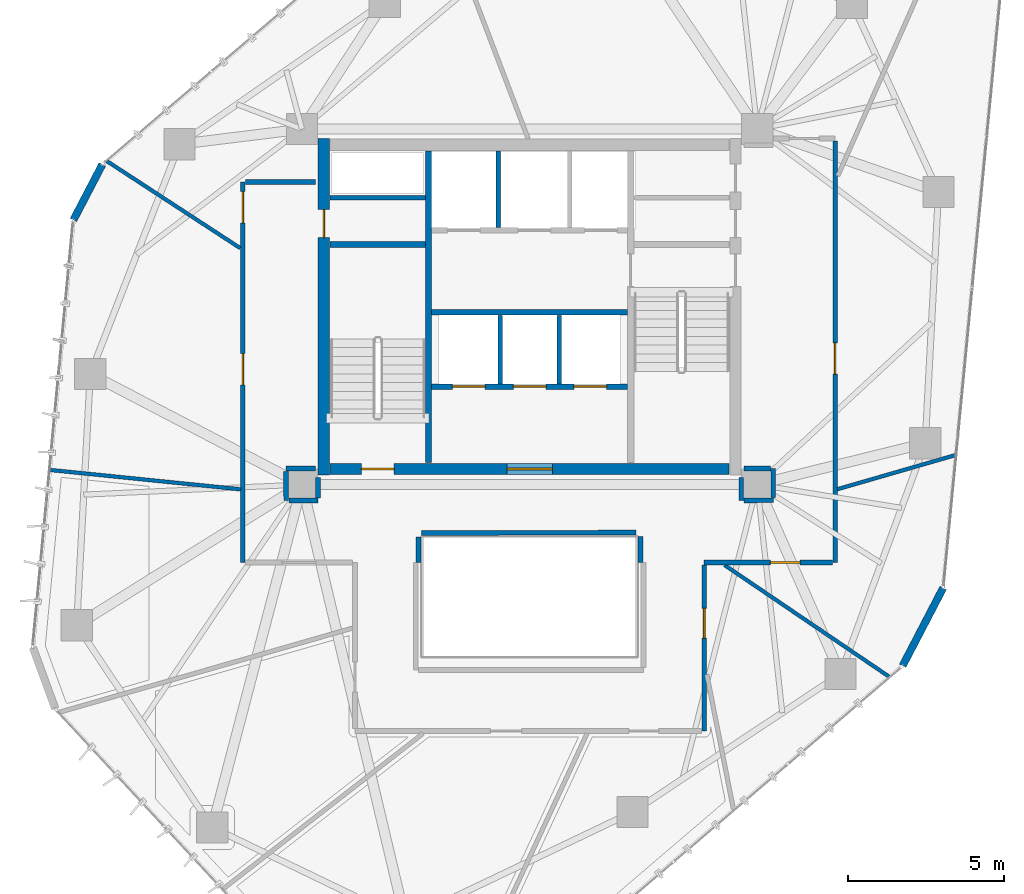
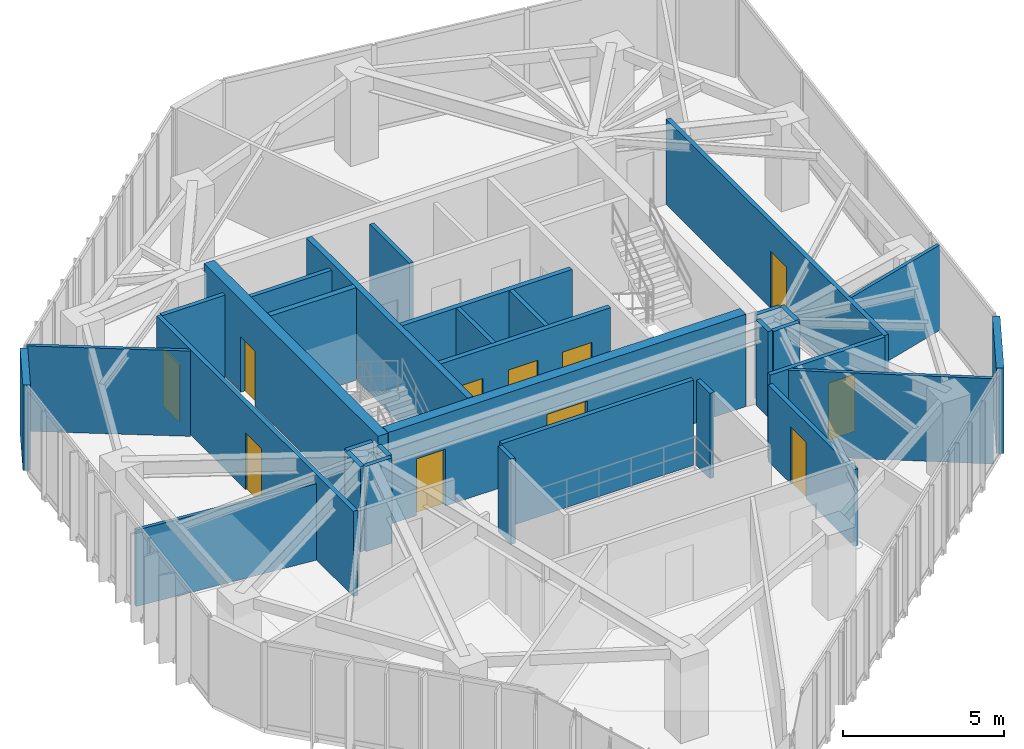
# One storey, part 17 of 21: 32 walls, 11 doors, 11 openings.
"""IFC4 building model written with IfcOpenShell, lengths in metres."""

from ifc_helpers import new_model, si_unit, direction, frame, frame_2d, origin, place, context, subcontext, project, spatial, rectangle, extrude, source, transform, mapped, material, layer, layer_set, type_object, type_shapes, element, fill, save


model = new_model("IFC4")

# Units and contexts
model_context = context("Model", 3, precision=1e-05, world=origin(), true_north=direction((0.0, 1.0)))
body_context = subcontext(model_context, "Body", "Model", "MODEL_VIEW")
ifc_project = project(units=[si_unit("LENGTHUNIT", "METRE"), si_unit("AREAUNIT", "SQUARE_METRE"), si_unit("VOLUMEUNIT", "CUBIC_METRE"), si_unit("PLANEANGLEUNIT", "RADIAN"), si_unit("MASSUNIT", "GRAM", prefix="KILO")], contexts=[model_context])

# Site, building, storey
site_placement = place(None, origin())
site = spatial("IfcSite", under=ifc_project, at=site_placement, CompositionType="ELEMENT")
building_placement = place(site_placement, origin())
building = spatial("IfcBuilding", under=site, at=building_placement, Name="Talar Marvaseh", CompositionType="ELEMENT")
storey_placement = place(building_placement, frame((0.0, 0.0, 225.699951171875)))
storey = spatial("IfcBuildingStorey", under=building, at=storey_placement, Name="L59", CompositionType="ELEMENT", Elevation=225.699951171875)

# Walls
ifc_material_1 = material(Name="Precast concrete C45/55", Category="concrete")
ifc_layer_1 = layer(ifc_material_1, 0.239990234375)
ifc_layer_set_1 = layer_set([ifc_layer_1], Name="Precast concrete C45/55")
wall_type_1 = type_object("IfcWallType", Name="Chamfered Hexagonal Corner Pier Wall Z3 240", PredefinedType="SOLIDWALL", material=ifc_layer_set_1)
wall_1_placement = place(storey_placement, frame((11.367431640625, 33.988037109375, 0.0), z_axis=(0.0, 0.0, 1.0), x_axis=(0.461778626692, 0.886995208516, 0.0)))
element("IfcWall", 1, at=wall_1_placement, inside=storey, type_object=wall_type_1, Name="L59 Chamfered Corner Limestone Pier 3", PredefinedType="SOLIDWALL", context=body_context, shape_type="SweptSolid", body=[
    extrude(rectangle(XDim=2.003173828125, YDim=0.239990234375, at=frame_2d((1.00146484375, 0.0))), origin(), (0.0, 0.0, 1.0), 3.22998046875),
])
wall_2_placement = place(storey_placement, frame((39.263671875, 22.182373046875, 0.0), z_axis=(0.0, 0.0, 1.0), x_axis=(-0.461792294956, -0.886988092546, 0.0)))
element("IfcWall", 2, at=wall_2_placement, inside=storey, type_object=wall_type_1, Name="L59 Chamfered Corner Limestone Pier 6", PredefinedType="SOLIDWALL", context=body_context, shape_type="SweptSolid", body=[
    extrude(rectangle(XDim=2.815185546875, YDim=0.239990234375, at=frame_2d((1.40771484375, 0.0))), origin(), (0.0, 0.0, 1.0), 3.22998046875),
])
ifc_material_2 = material(Name="Gypsum Board Partition Assembly")
ifc_layer_2 = layer(ifc_material_2, 0.155029296875)
ifc_layer_set_2 = layer_set([ifc_layer_2], Name="Gypsum Board Partition Assembly")
wall_type_2 = type_object("IfcWallType", Name="Corridor Fire-Rated Acoustic Partition 155", PredefinedType="PARTITIONING", material=ifc_layer_set_2)
wall_3_placement = place(storey_placement, frame((19.60009765625, 34.699951171875, 0.0), z_axis=(0.0, 0.0, 1.0), x_axis=(1.0, 0.0, 0.0)))
element("IfcWall", 3, at=wall_3_placement, inside=storey, type_object=wall_type_2, Name="L59 Core BOH Partition", PredefinedType="PARTITIONING", context=body_context, shape_type="SweptSolid", body=[
    extrude(rectangle(XDim=3.059814453125, YDim=0.155029296875, at=frame_2d((1.52978515625, 0.0))), origin(), (0.0, 0.0, 1.0), 3.22998046875),
])

# Wall, openings, doors
wall_4_placement = place(storey_placement, frame((16.800048828125, 23.0, 0.0), z_axis=(0.0, 0.0, 1.0), x_axis=(0.0, 1.0, 0.0)))
wall_4 = element("IfcWall", 4, at=wall_4_placement, inside=storey, type_object=wall_type_2, Name="L59 Interior Partition Wall", PredefinedType="PARTITIONING", context=body_context, shape_type="SweptSolid", body=[
    extrude(rectangle(XDim=12.199951171875, YDim=0.155029296875, at=frame_2d((6.10009765625, 0.0))), origin(), (0.0, 0.0, 1.0), 3.22998046875),
])
opening_1_placement = place(wall_4_placement, frame((10.891845703125, 0.0, 0.0)))
opening_1 = element("IfcOpeningElement", 5, at=opening_1_placement, cuts=wall_4, Name="Opening DR-RM100", PredefinedType="OPENING", context=body_context, shape_type="SweptSolid", body=[
    extrude(rectangle(XDim=1.0, YDim=2.14990234375, at=frame_2d((0.5, 1.074951171875))), frame((0.0, 0.08740234375, 0.0), z_axis=(0.0, -1.0, 0.0), x_axis=(1.0, 0.0, 0.0)), (0.0, 0.0, 1.0), 0.175048828125),
])
opening_2_placement = place(wall_4_placement, frame((5.697021484375, 0.0, 0.0)))
opening_2 = element("IfcOpeningElement", 6, at=opening_2_placement, cuts=wall_4, Name="Opening DR-RM100", PredefinedType="OPENING", context=body_context, shape_type="SweptSolid", body=[
    extrude(rectangle(XDim=1.0, YDim=2.14990234375, at=frame_2d((0.5, 1.074951171875))), frame((0.0, 0.08740234375, 0.0), z_axis=(0.0, -1.0, 0.0), x_axis=(1.0, 0.0, 0.0)), (0.0, 0.0, 1.0), 0.175048828125),
])
ifc_material_3 = material(Name="Acoustic Engineered Oak Timber", Category="wood")
door_type_1 = type_object("IfcDoorType", Name="Corridor Fire-Rated Gallery Door 1000x2150", OperationType="NOTDEFINED", PredefinedType="DOOR", material=ifc_material_3)
shared_shape_1 = source(origin(), body_context, "Body", "SweptSolid", [
    extrude(rectangle(XDim=1.0, YDim=2.14990234375, at=frame_2d((0.5, 1.074951171875))), frame((0.0, 0.02490234375, 0.0), z_axis=(0.0, -1.0, 0.0), x_axis=(1.0, 0.0, 0.0)), (0.0, 0.0, 1.0), 0.050048828125),
])
type_shapes(door_type_1, [shared_shape_1])
door_1_placement = place(opening_1_placement, origin())
door_1 = element("IfcDoor", 7, at=door_1_placement, inside=storey, type_object=door_type_1, Name="L59 Digital Paleography Studio Door", OperationType="SINGLE_SWING_RIGHT", OverallHeight=2.14990234375, OverallWidth=1.0, PredefinedType="DOOR", context=body_context, shape_type="MappedRepresentation", body=[
    mapped(shared_shape_1, transform((0.0, 0.0, 0.0), x_axis=(1.0, 0.0, 0.0), y_axis=(0.0, 1.0, 0.0), z_axis=(0.0, 0.0, 1.0), scale=1.0)),
])
fill(opening_1, door_1)
door_2_placement = place(opening_2_placement, origin())
door_2 = element("IfcDoor", 8, at=door_2_placement, inside=storey, type_object=door_type_1, Name="L59 Quiet Research Study Door", OperationType="SINGLE_SWING_LEFT", OverallHeight=2.14990234375, OverallWidth=1.0, PredefinedType="DOOR", context=body_context, shape_type="MappedRepresentation", body=[
    mapped(shared_shape_1, transform((0.0, 0.0, 0.0), x_axis=(1.0, 0.0, 0.0), y_axis=(0.0, 1.0, 0.0), z_axis=(0.0, 0.0, 1.0), scale=1.0)),
])
fill(opening_2, door_2)

# Wall, opening, door
wall_5_placement = place(storey_placement, frame((35.800048828125, 36.5166015625, 0.0), z_axis=(0.0, 0.0, 1.0), x_axis=(0.0, -1.0, 0.0)))
wall_5 = element("IfcWall", 9, at=wall_5_placement, inside=storey, type_object=wall_type_2, Name="L59 Interior Partition Wall", PredefinedType="PARTITIONING", context=body_context, shape_type="SweptSolid", body=[
    extrude(rectangle(XDim=13.5166015625, YDim=0.155029296875, at=frame_2d((6.75830078125, 0.0))), origin(), (0.0, 0.0, 1.0), 3.22998046875),
])
opening_3_placement = place(wall_5_placement, frame((6.4716796875, 0.0, 0.0)))
opening_3 = element("IfcOpeningElement", 10, at=opening_3_placement, cuts=wall_5, Name="Opening DR-RM100", PredefinedType="OPENING", context=body_context, shape_type="SweptSolid", body=[
    extrude(rectangle(XDim=1.0, YDim=2.14990234375, at=frame_2d((0.5, 1.074951171875))), frame((0.0, 0.08740234375, 0.0), z_axis=(0.0, -1.0, 0.0), x_axis=(1.0, 0.0, 0.0)), (0.0, 0.0, 1.0), 0.175048828125),
])
door_3_placement = place(opening_3_placement, origin())
door_3 = element("IfcDoor", 11, at=door_3_placement, inside=storey, type_object=door_type_1, Name="L59 Scholars' Registration Reception Door", OperationType="SINGLE_SWING_RIGHT", OverallHeight=2.14990234375, OverallWidth=1.0, PredefinedType="DOOR", context=body_context, shape_type="MappedRepresentation", body=[
    mapped(shared_shape_1, transform((0.0, 0.0, 0.0), x_axis=(1.0, 0.0, 0.0), y_axis=(0.0, 1.0, 0.0), z_axis=(0.0, 0.0, 1.0), scale=1.0)),
])
fill(opening_3, door_3)

wall_6_placement = place(storey_placement, frame((35.716552734375, 23.0, 0.0), z_axis=(0.0, 0.0, 1.0), x_axis=(-1.0, 0.0, 0.0)))
wall_6 = element("IfcWall", 12, at=wall_6_placement, inside=storey, type_object=wall_type_2, Name="L59 Interior Partition Wall", PredefinedType="PARTITIONING", context=body_context, shape_type="SweptSolid", body=[
    extrude(rectangle(XDim=4.116455078125, YDim=0.155029296875, at=frame_2d((2.05810546875, 0.0))), origin(), (0.0, 0.0, 1.0), 3.22998046875),
])
opening_4_placement = place(wall_6_placement, frame((1.04296875, 0.0, 0.0)))
opening_4 = element("IfcOpeningElement", 13, at=opening_4_placement, cuts=wall_6, Name="Opening DR-WC095", PredefinedType="OPENING", context=body_context, shape_type="SweptSolid", body=[
    extrude(rectangle(XDim=0.949951171875, YDim=2.14990234375, at=frame_2d((0.47509765625, 1.074951171875))), frame((0.0, 0.08740234375, 0.0), z_axis=(0.0, -1.0, 0.0), x_axis=(1.0, 0.0, 0.0)), (0.0, 0.0, 1.0), 0.175048828125),
])
door_type_2 = type_object("IfcDoorType", Name="Washroom and Service Room Door 950x2150", OperationType="NOTDEFINED", PredefinedType="DOOR", material=ifc_material_3)
shared_shape_2 = source(origin(), body_context, "Body", "SweptSolid", [
    extrude(rectangle(XDim=0.949951171875, YDim=2.14990234375, at=frame_2d((0.47509765625, 1.074951171875))), frame((0.0, 0.02490234375, 0.0), z_axis=(0.0, -1.0, 0.0), x_axis=(1.0, 0.0, 0.0)), (0.0, 0.0, 1.0), 0.050048828125),
])
type_shapes(door_type_2, [shared_shape_2])
door_4_placement = place(opening_4_placement, origin())
door_4 = element("IfcDoor", 14, at=door_4_placement, inside=storey, type_object=door_type_2, Name="L59 Accessible WC Door", OperationType="SINGLE_SWING_LEFT", OverallHeight=2.14990234375, OverallWidth=0.949951171875, PredefinedType="DOOR", context=body_context, shape_type="MappedRepresentation", body=[
    mapped(shared_shape_2, transform((0.0, 0.0, 0.0), x_axis=(1.0, 0.0, 0.0), y_axis=(0.0, 1.0, 0.0), z_axis=(0.0, 0.0, 1.0), scale=1.0)),
])
fill(opening_4, door_4)

wall_7_placement = place(storey_placement, frame((31.60009765625, 22.91650390625, 0.0), z_axis=(0.0, 0.0, 1.0), x_axis=(0.0, -1.0, 0.0)))
wall_7 = element("IfcWall", 15, at=wall_7_placement, inside=storey, type_object=wall_type_2, Name="L59 Interior Partition Wall", PredefinedType="PARTITIONING", context=body_context, shape_type="SweptSolid", body=[
    extrude(rectangle(XDim=5.31640625, YDim=0.155029296875, at=frame_2d((2.658203125, 0.0))), origin(), (0.0, 0.0, 1.0), 2.89208984375),
])
opening_5_placement = place(wall_7_placement, frame((1.390869140625, 0.0, 0.0)))
opening_5 = element("IfcOpeningElement", 16, at=opening_5_placement, cuts=wall_7, Name="Opening DR-WC095", PredefinedType="OPENING", context=body_context, shape_type="SweptSolid", body=[
    extrude(rectangle(XDim=0.949951171875, YDim=2.14990234375, at=frame_2d((0.47509765625, 1.074951171875))), frame((0.0, 0.08740234375, 0.0), z_axis=(0.0, -1.0, 0.0), x_axis=(1.0, 0.0, 0.0)), (0.0, 0.0, 1.0), 0.175048828125),
])
door_5_placement = place(opening_5_placement, origin())
door_5 = element("IfcDoor", 17, at=door_5_placement, inside=storey, type_object=door_type_2, Name="L59 WC Public Washrooms Door", OperationType="SINGLE_SWING_RIGHT", OverallHeight=2.14990234375, OverallWidth=0.949951171875, PredefinedType="DOOR", context=body_context, shape_type="MappedRepresentation", body=[
    mapped(shared_shape_2, transform((0.0, 0.0, 0.0), x_axis=(1.0, 0.0, 0.0), y_axis=(0.0, 1.0, 0.0), z_axis=(0.0, 0.0, 1.0), scale=1.0)),
])
fill(opening_5, door_5)

# Walls
wall_8_placement = place(storey_placement, frame((16.883544921875, 35.199951171875, 0.0), z_axis=(0.0, 0.0, 1.0), x_axis=(1.0, 0.0, 0.0)))
element("IfcWall", 18, at=wall_8_placement, inside=storey, type_object=wall_type_2, Name="L59 Interior Partition Wall", PredefinedType="PARTITIONING", context=body_context, shape_type="SweptSolid", body=[
    extrude(rectangle(XDim=2.246337890625, YDim=0.155029296875, at=frame_2d((1.123046875, 0.0))), origin(), (0.0, 0.0, 1.0), 3.22998046875),
])
wall_9_placement = place(storey_placement, frame((19.1298828125, 26.0146484375, 0.0), z_axis=(0.0, 0.0, 1.0), x_axis=(-0.99999026157, -0.004413248818, 0.0)))
element("IfcWall", 19, at=wall_9_placement, inside=storey, type_object=wall_type_2, Name="L59 Interior Partition Wall", PredefinedType="PARTITIONING", context=body_context, shape_type="SweptSolid", body=[
    extrude(rectangle(XDim=0.9404296875, YDim=0.155029296875, at=frame_2d((0.47021484375, 0.0))), origin(), (0.0, 0.0, 1.0), 3.22998046875),
])
wall_10_placement = place(storey_placement, frame((18.189697265625, 25.927001953125, 0.0), z_axis=(0.0, 0.0, 1.0), x_axis=(0.002078997586, -0.999997838882, 0.0)))
element("IfcWall", 20, at=wall_10_placement, inside=storey, type_object=wall_type_2, Name="L59 Interior Partition Wall", PredefinedType="PARTITIONING", context=body_context, shape_type="SweptSolid", body=[
    extrude(rectangle(XDim=0.939453125, YDim=0.155029296875, at=frame_2d((0.4697265625, 0.0))), origin(), (0.0, 0.0, 1.0), 3.22998046875),
])
wall_11_placement = place(storey_placement, frame((18.275146484375, 24.987548828125, 0.0), z_axis=(0.0, 0.0, 1.0), x_axis=(0.999999692748, 0.0007839036, 0.0)))
element("IfcWall", 21, at=wall_11_placement, inside=storey, type_object=wall_type_2, Name="L59 Interior Partition Wall", PredefinedType="PARTITIONING", context=body_context, shape_type="SweptSolid", body=[
    extrude(rectangle(XDim=0.934326171875, YDim=0.155029296875, at=frame_2d((0.46728515625, 0.0))), origin(), (0.0, 0.0, 1.0), 3.22998046875),
])
wall_12_placement = place(storey_placement, frame((19.210205078125, 25.072021484375, 0.0), z_axis=(0.0, 0.0, 1.0), x_axis=(0.007420945932, 0.999972464402, 0.0)))
element("IfcWall", 22, at=wall_12_placement, inside=storey, type_object=wall_type_2, Name="L59 Interior Partition Wall", PredefinedType="PARTITIONING", context=body_context, shape_type="SweptSolid", body=[
    extrude(rectangle(XDim=0.657958984375, YDim=0.155029296875, at=frame_2d((0.3291015625, 0.0))), origin(), (0.0, 0.0, 1.0), 3.22998046875),
])
wall_13_placement = place(storey_placement, frame((32.784912109375, 25.72998046875, 0.0), z_axis=(0.0, 0.0, 1.0), x_axis=(0.007570553288, -0.999971342951, 0.0)))
element("IfcWall", 23, at=wall_13_placement, inside=storey, type_object=wall_type_2, Name="L59 Interior Partition Wall", PredefinedType="PARTITIONING", context=body_context, shape_type="SweptSolid", body=[
    extrude(rectangle(XDim=0.74169921875, YDim=0.155029296875, at=frame_2d((0.370849609375, 0.0))), origin(), (0.0, 0.0, 1.0), 3.22998046875),
])
wall_14_placement = place(storey_placement, frame((32.8740234375, 24.9892578125, 0.0), z_axis=(0.0, 0.0, 1.0), x_axis=(0.999934835738, 0.01141596595, 0.0)))
element("IfcWall", 24, at=wall_14_placement, inside=storey, type_object=wall_type_2, Name="L59 Interior Partition Wall", PredefinedType="PARTITIONING", context=body_context, shape_type="SweptSolid", body=[
    extrude(rectangle(XDim=0.94091796875, YDim=0.155029296875, at=frame_2d((0.470458984375, 0.0))), origin(), (0.0, 0.0, 1.0), 3.22998046875),
])
wall_15_placement = place(storey_placement, frame((33.814697265625, 25.08349609375, 0.0), z_axis=(0.0, 0.0, 1.0), x_axis=(-0.004477173984, 0.999989977406, 0.0)))
element("IfcWall", 25, at=wall_15_placement, inside=storey, type_object=wall_type_2, Name="L59 Interior Partition Wall", PredefinedType="PARTITIONING", context=body_context, shape_type="SweptSolid", body=[
    extrude(rectangle(XDim=0.927001953125, YDim=0.155029296875, at=frame_2d((0.46337890625, 0.0))), origin(), (0.0, 0.0, 1.0), 3.22998046875),
])
wall_16_placement = place(storey_placement, frame((33.72705078125, 26.010986328125, 0.0), z_axis=(0.0, 0.0, 1.0), x_axis=(-0.999990868706, 0.004273465251, 0.0)))
element("IfcWall", 26, at=wall_16_placement, inside=storey, type_object=wall_type_2, Name="L59 Interior Partition Wall", PredefinedType="PARTITIONING", context=body_context, shape_type="SweptSolid", body=[
    extrude(rectangle(XDim=0.85693359375, YDim=0.155029296875, at=frame_2d((0.428466796875, 0.0))), origin(), (0.0, 0.0, 1.0), 3.22998046875),
])
wall_17_placement = place(storey_placement, frame((29.415771484375, 23.959228515625, 0.0), z_axis=(0.0, 0.0, 1.0), x_axis=(-0.999998607957, -0.001668557745, 0.0)))
element("IfcWall", 27, at=wall_17_placement, inside=storey, type_object=wall_type_2, Name="L59 Interior Partition Wall", PredefinedType="PARTITIONING", context=body_context, shape_type="SweptSolid", body=[
    extrude(rectangle(XDim=6.876953125, YDim=0.155029296875, at=frame_2d((3.4384765625, 0.0))), origin(), (0.0, 0.0, 1.0), 3.22998046875),
])
wall_18_placement = place(storey_placement, frame((22.44091796875, 23.815673828125, 0.0), z_axis=(0.0, 0.0, 1.0), x_axis=(-0.001197245475, -0.999999283301, 0.0)))
element("IfcWall", 28, at=wall_18_placement, inside=storey, type_object=wall_type_2, Name="L59 Interior Partition Wall", PredefinedType="PARTITIONING", context=body_context, shape_type="SweptSolid", body=[
    extrude(rectangle(XDim=0.815673828125, YDim=0.155029296875, at=frame_2d((0.40771484375, 0.0))), origin(), (0.0, 0.0, 1.0), 3.22998046875),
])
wall_19_placement = place(storey_placement, frame((29.56005859375, 23.0, 0.0), z_axis=(0.0, 0.0, 1.0), x_axis=(-0.003817887006, 0.999992711843, 0.0)))
element("IfcWall", 29, at=wall_19_placement, inside=storey, type_object=wall_type_2, Name="L59 Interior Partition Wall", PredefinedType="PARTITIONING", context=body_context, shape_type="SweptSolid", body=[
    extrude(rectangle(XDim=0.831298828125, YDim=0.155029296875, at=frame_2d((0.41552734375, 0.0))), origin(), (0.0, 0.0, 1.0), 3.22998046875),
])
ifc_layer_3 = layer(ifc_material_2, 0.1201171875)
ifc_layer_set_3 = layer_set([ifc_layer_3], Name="Gypsum Board Partition Assembly")
wall_type_3 = type_object("IfcWallType", Name="Demountable Studio Room Partition 120", PredefinedType="PARTITIONING", material=ifc_layer_set_3)
wall_20_placement = place(storey_placement, frame((10.62548828125, 25.9677734375, 0.0), z_axis=(0.0, 0.0, 1.0), x_axis=(0.99487290566, -0.101133088468, 0.0)))
element("IfcWall", 30, at=wall_20_placement, inside=storey, type_object=wall_type_3, Name="L59 Interior Partition Wall", PredefinedType="PARTITIONING", context=body_context, shape_type="SweptSolid", body=[
    extrude(rectangle(XDim=6.141357421875, YDim=0.1201171875, at=frame_2d((3.07080078125, 0.0))), origin(), (0.0, 0.0, 1.0), 2.89208984375),
])
wall_21_placement = place(storey_placement, frame((32.253173828125, 22.91650390625, 0.0), z_axis=(0.0, 0.0, 1.0), x_axis=(0.827663867124, -0.561224129077, 0.0)))
element("IfcWall", 31, at=wall_21_placement, inside=storey, type_object=wall_type_3, Name="L59 Interior Partition Wall", PredefinedType="PARTITIONING", context=body_context, shape_type="SweptSolid", body=[
    extrude(rectangle(XDim=6.373779296875, YDim=0.1201171875, at=frame_2d((3.18701171875, 0.0))), origin(), (0.0, 0.0, 1.0), 3.22998046875),
])
wall_22_placement = place(storey_placement, frame((35.8623046875, 25.34814453125, 0.0), z_axis=(0.0, 0.0, 1.0), x_axis=(0.96067717356, 0.277667729853, 0.0)))
element("IfcWall", 32, at=wall_22_placement, inside=storey, type_object=wall_type_3, Name="L59 Interior Partition Wall", PredefinedType="PARTITIONING", context=body_context, shape_type="SweptSolid", body=[
    extrude(rectangle(XDim=3.94873046875, YDim=0.1201171875, at=frame_2d((1.974365234375, 0.0))), origin(), (0.0, 0.0, 1.0), 3.22998046875),
])
wall_23_placement = place(storey_placement, frame((16.716552734375, 33.08447265625, 0.0), z_axis=(0.0, 0.0, 1.0), x_axis=(-0.837526759453, 0.546396309651, 0.0)))
element("IfcWall", 33, at=wall_23_placement, inside=storey, type_object=wall_type_3, Name="L59 Interior Partition Wall", PredefinedType="PARTITIONING", context=body_context, shape_type="SweptSolid", body=[
    extrude(rectangle(XDim=5.0986328125, YDim=0.1201171875, at=frame_2d((2.54931640625, 0.0))), origin(), (0.0, 0.0, 1.0), 3.22998046875),
])
ifc_layer_4 = layer(ifc_material_1, 0.14501953125)
ifc_layer_set_4 = layer_set([ifc_layer_4], Name="Precast concrete C45/55")
wall_type_4 = type_object("IfcWallType", Name="Fire-Rated Lift Divider Wall 145", PredefinedType="SOLIDWALL", material=ifc_layer_set_4)
wall_24_placement = place(storey_placement, frame((25.0, 33.743408203125, 0.0), z_axis=(0.0, 0.0, 1.0), x_axis=(0.0, 1.0, 0.0)))
element("IfcWall", 34, at=wall_24_placement, inside=storey, type_object=wall_type_4, Name="L59 FFL-1/FFL-2 Divider", PredefinedType="SOLIDWALL", context=body_context, shape_type="SweptSolid", body=[
    extrude(rectangle(XDim=2.45654296875, YDim=0.14501953125, at=frame_2d((1.228271484375, 0.0))), origin(), (0.0, 0.0, 1.0), 3.22998046875),
])
for number, where, z_axis, x_axis, name in (
    (35, (25.050048828125, 28.719970703125, 0.0), (0.0, 0.0, 1.0), (0.0, 1.0, 0.0), "L59 PL-H1/PL-H2 Divider"),
    (36, (26.949951171875, 28.719970703125, 0.0), (0.0, 0.0, 1.0), (0.0, 1.0, 0.0), "L59 PL-H2/PL-H3 Divider"),
):
    element("IfcWall", number, at=place(storey_placement, frame(where, z_axis=z_axis, x_axis=x_axis)), inside=storey, type_object=wall_type_4, Name=name, PredefinedType="SOLIDWALL", context=body_context, shape_type="SweptSolid", body=[
        extrude(rectangle(XDim=2.20654296875, YDim=0.14501953125, at=frame_2d((1.103271484375, 0.0))), origin(), (0.0, 0.0, 1.0), 3.22998046875),
    ])
ifc_layer_5 = layer(ifc_material_1, 0.175048828125)
ifc_layer_set_5 = layer_set([ifc_layer_5], Name="Precast concrete C45/55")
wall_type_5 = type_object("IfcWallType", Name="Fire-Rated Lift Hoistway Enclosure Wall 175", PredefinedType="SOLIDWALL", material=ifc_layer_set_5)
wall_25_placement = place(storey_placement, frame((22.860107421875, 31.02001953125, 0.0), z_axis=(0.0, 0.0, 1.0), x_axis=(1.0, 0.0, 0.0)))
element("IfcWall", 37, at=wall_25_placement, inside=storey, type_object=wall_type_5, Name="L59 Firefighting Lobby South Smoke Wall", PredefinedType="SOLIDWALL", context=body_context, shape_type="SweptSolid", body=[
    extrude(rectangle(XDim=6.27978515625, YDim=0.175048828125, at=frame_2d((3.139892578125, 0.0))), origin(), (0.0, 0.0, 1.0), 3.22998046875),
])

# Wall, openings, doors
wall_26_placement = place(storey_placement, frame((22.860107421875, 28.639892578125, 0.0), z_axis=(0.0, 0.0, 1.0), x_axis=(1.0, 0.0, 0.0)))
wall_26 = element("IfcWall", 38, at=wall_26_placement, inside=storey, type_object=wall_type_5, Name="L59 High-Rise Lift Bank Front Wall", PredefinedType="SOLIDWALL", context=body_context, shape_type="SweptSolid", body=[
    extrude(rectangle(XDim=6.27978515625, YDim=0.175048828125, at=frame_2d((3.139892578125, 0.0))), origin(), (0.0, 0.0, 1.0), 3.22998046875),
])
opening_6_placement = place(wall_26_placement, frame((0.659912109375, 0.0, 0.0)))
opening_6 = element("IfcOpeningElement", 39, at=opening_6_placement, cuts=wall_26, Name="Opening LD-PLH1", PredefinedType="OPENING", context=body_context, shape_type="SweptSolid", body=[
    extrude(rectangle(XDim=1.050048828125, YDim=2.14990234375, at=frame_2d((0.52490234375, 1.074951171875))), frame((0.0, 0.09765625, 0.0), z_axis=(0.0, -1.0, 0.0), x_axis=(1.0, 0.0, 0.0)), (0.0, 0.0, 1.0), 0.195068359375),
])
opening_7_placement = place(wall_26_placement, frame((2.6201171875, 0.0, 0.0)))
opening_7 = element("IfcOpeningElement", 40, at=opening_7_placement, cuts=wall_26, Name="Opening LD-PLH2", PredefinedType="OPENING", context=body_context, shape_type="SweptSolid", body=[
    extrude(rectangle(XDim=1.050048828125, YDim=2.14990234375, at=frame_2d((0.52490234375, 1.074951171875))), frame((0.0, 0.09765625, 0.0), z_axis=(0.0, -1.0, 0.0), x_axis=(1.0, 0.0, 0.0)), (0.0, 0.0, 1.0), 0.195068359375),
])
opening_8_placement = place(wall_26_placement, frame((4.56005859375, 0.0, 0.0)))
opening_8 = element("IfcOpeningElement", 41, at=opening_8_placement, cuts=wall_26, Name="Opening LD-PLH3", PredefinedType="OPENING", context=body_context, shape_type="SweptSolid", body=[
    extrude(rectangle(XDim=1.050048828125, YDim=2.14990234375, at=frame_2d((0.52490234375, 1.074951171875))), frame((0.0, 0.09765625, 0.0), z_axis=(0.0, -1.0, 0.0), x_axis=(1.0, 0.0, 0.0)), (0.0, 0.0, 1.0), 0.195068359375),
])
ifc_material_4 = material(Name="Stainless Steel Grade 316", Category="steel")
door_type_3 = type_object("IfcDoorType", Name="Automatic Sliding Lift Landing Door 1050x2150", OperationType="NOTDEFINED", PredefinedType="DOOR", material=ifc_material_4)
shared_shape_3 = source(origin(), body_context, "Body", "SweptSolid", [
    extrude(rectangle(XDim=1.050048828125, YDim=2.14990234375, at=frame_2d((0.52490234375, 1.074951171875))), frame((0.0, 0.02490234375, 0.0), z_axis=(0.0, -1.0, 0.0), x_axis=(1.0, 0.0, 0.0)), (0.0, 0.0, 1.0), 0.050048828125),
])
type_shapes(door_type_3, [shared_shape_3])
door_6_placement = place(opening_6_placement, origin())
door_6 = element("IfcDoor", 42, at=door_6_placement, inside=storey, type_object=door_type_3, Name="L59 Lift PL-H1 Sliding Landing Door", OperationType="SLIDING_TO_LEFT", OverallHeight=2.14990234375, OverallWidth=1.050048828125, PredefinedType="DOOR", context=body_context, shape_type="MappedRepresentation", body=[
    mapped(shared_shape_3, transform((0.0, 0.0, 0.0), x_axis=(1.0, 0.0, 0.0), y_axis=(0.0, 1.0, 0.0), z_axis=(0.0, 0.0, 1.0), scale=1.0)),
])
fill(opening_6, door_6)
door_7_placement = place(opening_7_placement, origin())
door_7 = element("IfcDoor", 43, at=door_7_placement, inside=storey, type_object=door_type_3, Name="L59 Lift PL-H2 Sliding Landing Door", OperationType="SLIDING_TO_LEFT", OverallHeight=2.14990234375, OverallWidth=1.050048828125, PredefinedType="DOOR", context=body_context, shape_type="MappedRepresentation", body=[
    mapped(shared_shape_3, transform((0.0, 0.0, 0.0), x_axis=(1.0, 0.0, 0.0), y_axis=(0.0, 1.0, 0.0), z_axis=(0.0, 0.0, 1.0), scale=1.0)),
])
fill(opening_7, door_7)
door_8_placement = place(opening_8_placement, origin())
door_8 = element("IfcDoor", 44, at=door_8_placement, inside=storey, type_object=door_type_3, Name="L59 Lift PL-H3 Sliding Landing Door", OperationType="SLIDING_TO_LEFT", OverallHeight=2.14990234375, OverallWidth=1.050048828125, PredefinedType="DOOR", context=body_context, shape_type="MappedRepresentation", body=[
    mapped(shared_shape_3, transform((0.0, 0.0, 0.0), x_axis=(1.0, 0.0, 0.0), y_axis=(0.0, 1.0, 0.0), z_axis=(0.0, 0.0, 1.0), scale=1.0)),
])
fill(opening_8, door_8)

# Walls
ifc_material_5 = material(Name="Concrete C50/60", Category="concrete")
ifc_layer_6 = layer(ifc_material_5, 0.199951171875)
ifc_layer_set_6 = layer_set([ifc_layer_6], Name="Concrete C50/60")
wall_type_6 = type_object("IfcWallType", Name="Stair Shaft Structural Concrete Shear Wall 200", PredefinedType="SHEAR", material=ifc_layer_set_6)
wall_27_placement = place(storey_placement, frame((22.760009765625, 26.199951171875, 0.0), z_axis=(0.0, 0.0, 1.0), x_axis=(0.0, 1.0, 0.0)))
element("IfcWall", 45, at=wall_27_placement, inside=storey, type_object=wall_type_6, Name="L59 Core West Stair Shear Wall", PredefinedType="SHEAR", context=body_context, shape_type="SweptSolid", body=[
    extrude(rectangle(XDim=10.0, YDim=0.199951171875, at=frame_2d((5.0, 0.0))), origin(), (0.0, 0.0, 1.0), 3.5),
])
wall_28_placement = place(storey_placement, frame((19.60009765625, 33.199951171875, 0.0), z_axis=(0.0, 0.0, 1.0), x_axis=(1.0, 0.0, 0.0)))
element("IfcWall", 46, at=wall_28_placement, inside=storey, type_object=wall_type_6, Name="L59 Stair ST-1 North Shear Wall", PredefinedType="SHEAR", context=body_context, shape_type="SweptSolid", body=[
    extrude(rectangle(XDim=3.059814453125, YDim=0.199951171875, at=frame_2d((1.52978515625, 0.0))), origin(), (0.0, 0.0, 1.0), 3.5),
])

# Wall, opening, door
ifc_layer_7 = layer(ifc_material_5, 0.360107421875)
ifc_layer_set_7 = layer_set([ifc_layer_7], Name="Concrete C50/60")
wall_type_7 = type_object("IfcWallType", Name="Upper Core Reinforced Concrete Shear Wall 360", PredefinedType="SHEAR", material=ifc_layer_set_7)
wall_29_placement = place(storey_placement, frame((19.39990234375, 25.800048828125, 0.0), z_axis=(0.0, 0.0, 1.0), x_axis=(0.0, 1.0, 0.0)))
wall_29 = element("IfcWall", 47, at=wall_29_placement, inside=storey, type_object=wall_type_7, Name="L59 West Core Shear Wall", PredefinedType="SHEAR", context=body_context, shape_type="SweptSolid", body=[
    extrude(rectangle(XDim=10.800048828125, YDim=0.360107421875, at=frame_2d((5.39990234375, 0.0))), origin(), (0.0, 0.0, 1.0), 3.5),
])
opening_9_placement = place(wall_29_placement, frame((7.6201171875, 0.0, 0.0)))
opening_9 = element("IfcOpeningElement", 48, at=opening_9_placement, cuts=wall_29, Name="Opening DR-BOH090", PredefinedType="OPENING", context=body_context, shape_type="SweptSolid", body=[
    extrude(rectangle(XDim=0.89990234375, YDim=2.10009765625, at=frame_2d((0.449951171875, 1.050048828125))), frame((0.0, 0.18994140625, 0.0), z_axis=(0.0, -1.0, 0.0), x_axis=(1.0, 0.0, 0.0)), (0.0, 0.0, 1.0), 0.380126953125),
])
ifc_material_6 = material(Name="Fire-Rated Steel Door Leaf", Category="steel")
door_type_4 = type_object("IfcDoorType", Name="Core Back-of-House Service Door 900x2100", OperationType="NOTDEFINED", PredefinedType="DOOR", material=ifc_material_6)
shared_shape_4 = source(origin(), body_context, "Body", "SweptSolid", [
    extrude(rectangle(XDim=0.89990234375, YDim=2.10009765625, at=frame_2d((0.449951171875, 1.050048828125))), frame((0.0, 0.02490234375, 0.0), z_axis=(0.0, -1.0, 0.0), x_axis=(1.0, 0.0, 0.0)), (0.0, 0.0, 1.0), 0.050048828125),
])
type_shapes(door_type_4, [shared_shape_4])
door_9_placement = place(opening_9_placement, origin())
door_9 = element("IfcDoor", 49, at=door_9_placement, inside=storey, type_object=door_type_4, Name="L59 Cleaner Core West Closet Door", OperationType="SINGLE_SWING_LEFT", OverallHeight=2.10009765625, OverallWidth=0.89990234375, PredefinedType="DOOR", context=body_context, shape_type="MappedRepresentation", body=[
    mapped(shared_shape_4, transform((0.0, 0.0, 0.0), x_axis=(1.0, 0.0, 0.0), y_axis=(0.0, 1.0, 0.0), z_axis=(0.0, 0.0, 1.0), scale=1.0)),
])
fill(opening_9, door_9)

# Wall, openings, doors
wall_30_placement = place(storey_placement, frame((32.39990234375, 26.0, 0.0), z_axis=(0.0, 0.0, 1.0), x_axis=(-1.0, 0.0, 0.0)))
wall_30 = element("IfcWall", 50, at=wall_30_placement, inside=storey, type_object=wall_type_7, Name="L59 South Core Shear Wall", PredefinedType="SHEAR", context=body_context, shape_type="SweptSolid", body=[
    extrude(rectangle(XDim=12.7998046875, YDim=0.360107421875, at=frame_2d((6.39990234375, 0.0))), origin(), (0.0, 0.0, 1.0), 3.5),
])
opening_10_placement = place(wall_30_placement, frame((10.75, 0.0, 0.0)))
opening_10 = element("IfcOpeningElement", 51, at=opening_10_placement, cuts=wall_30, Name="Opening DR-ST105", PredefinedType="OPENING", context=body_context, shape_type="SweptSolid", body=[
    extrude(rectangle(XDim=1.050048828125, YDim=2.14990234375, at=frame_2d((0.52490234375, 1.074951171875))), frame((0.0, 0.18994140625, 0.0), z_axis=(0.0, -1.0, 0.0), x_axis=(1.0, 0.0, 0.0)), (0.0, 0.0, 1.0), 0.380126953125),
])
opening_11_placement = place(wall_30_placement, frame((5.669921875, 0.0, 0.0)))
opening_11 = element("IfcOpeningElement", 52, at=opening_11_placement, cuts=wall_30, Name="Opening DR-LBY145", PredefinedType="OPENING", context=body_context, shape_type="SweptSolid", body=[
    extrude(rectangle(XDim=1.449951171875, YDim=2.199951171875, at=frame_2d((0.72509765625, 1.10009765625))), frame((0.0, 0.18994140625, 0.0), z_axis=(0.0, -1.0, 0.0), x_axis=(1.0, 0.0, 0.0)), (0.0, 0.0, 1.0), 0.380126953125),
])
door_type_5 = type_object("IfcDoorType", Name="Protected Exit Stair Fire Door 1050x2150", OperationType="NOTDEFINED", PredefinedType="DOOR", material=ifc_material_6)
shared_shape_5 = source(origin(), body_context, "Body", "SweptSolid", [
    extrude(rectangle(XDim=1.050048828125, YDim=2.14990234375, at=frame_2d((0.52490234375, 1.074951171875))), frame((0.0, 0.02490234375, 0.0), z_axis=(0.0, -1.0, 0.0), x_axis=(1.0, 0.0, 0.0)), (0.0, 0.0, 1.0), 0.050048828125),
])
type_shapes(door_type_5, [shared_shape_5])
door_10_placement = place(opening_10_placement, origin())
door_10 = element("IfcDoor", 53, at=door_10_placement, inside=storey, type_object=door_type_5, Name="L59 Stair ST-1 Exit Door", OperationType="SINGLE_SWING_RIGHT", OverallHeight=2.14990234375, OverallWidth=1.050048828125, PredefinedType="DOOR", context=body_context, shape_type="MappedRepresentation", body=[
    mapped(shared_shape_5, transform((0.0, 0.0, 0.0), x_axis=(1.0, 0.0, 0.0), y_axis=(0.0, 1.0, 0.0), z_axis=(0.0, 0.0, 1.0), scale=1.0)),
])
fill(opening_10, door_10)
door_type_6 = type_object("IfcDoorType", Name="Core Lift Lobby Double Smoke Door 1450x2200", OperationType="NOTDEFINED", PredefinedType="DOOR", material=ifc_material_6)
shared_shape_6 = source(origin(), body_context, "Body", "SweptSolid", [
    extrude(rectangle(XDim=1.449951171875, YDim=2.199951171875, at=frame_2d((0.72509765625, 1.10009765625))), frame((0.0, 0.02490234375, 0.0), z_axis=(0.0, -1.0, 0.0), x_axis=(1.0, 0.0, 0.0)), (0.0, 0.0, 1.0), 0.050048828125),
])
type_shapes(door_type_6, [shared_shape_6])
door_11_placement = place(opening_11_placement, origin())
door_11 = element("IfcDoor", 54, at=door_11_placement, inside=storey, type_object=door_type_6, Name="L59 Passenger Lift Lobby Entrance Door", OperationType="DOUBLE_DOOR_SINGLE_SWING", OverallHeight=2.199951171875, OverallWidth=1.449951171875, PredefinedType="DOOR", context=body_context, shape_type="MappedRepresentation", body=[
    mapped(shared_shape_6, transform((0.0, 0.0, 0.0), x_axis=(1.0, 0.0, 0.0), y_axis=(0.0, 1.0, 0.0), z_axis=(0.0, 0.0, 1.0), scale=1.0)),
])
fill(opening_11, door_11)

save(model, "model.ifc")
